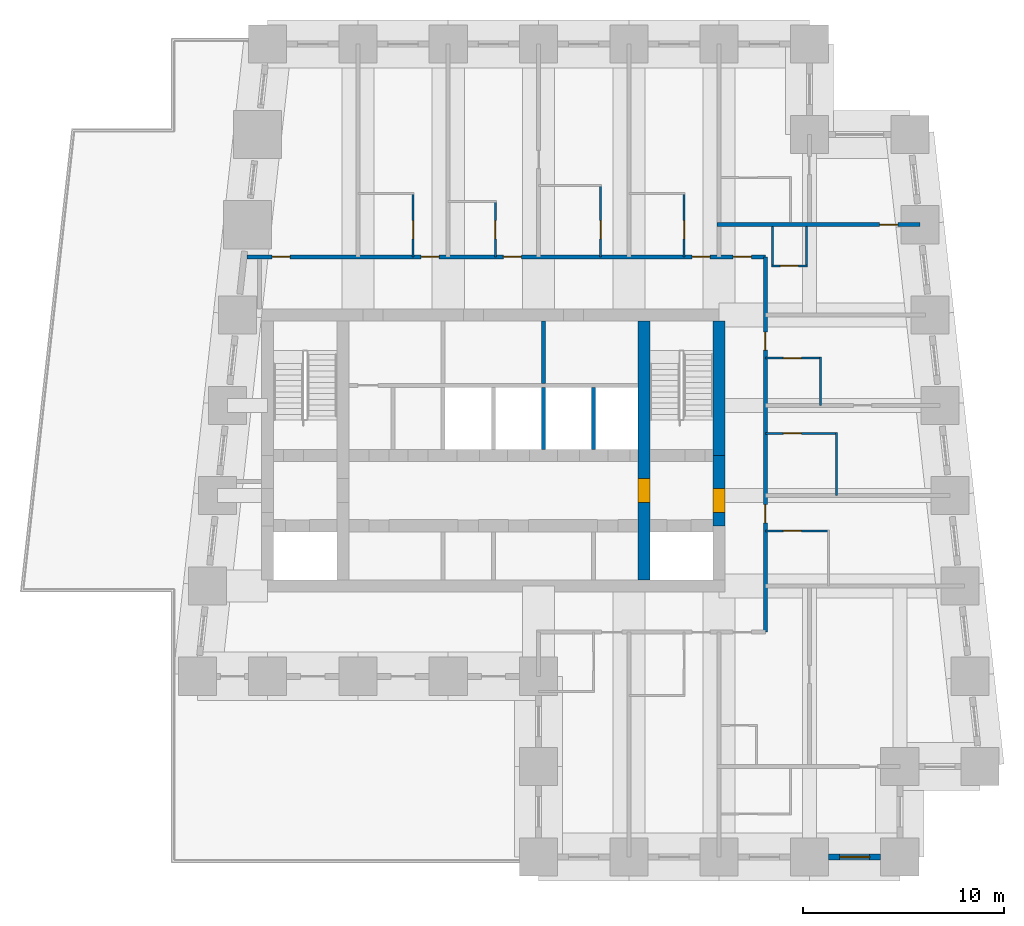
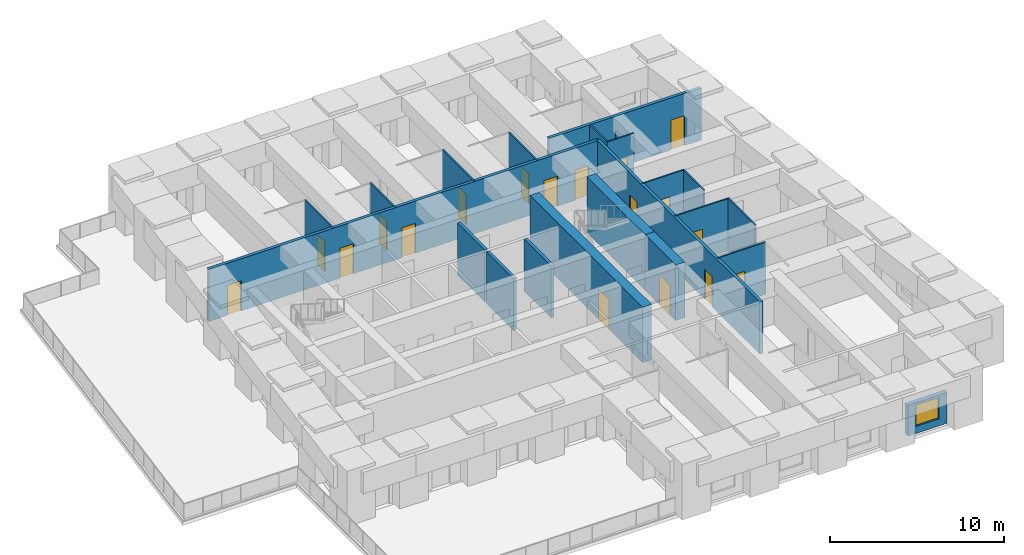
# One storey, part 4 of 7: 22 walls, 18 doors, 1 window, 19 openings.
"""IFC4 building model written with IfcOpenShell, lengths in metres."""

from ifc_helpers import new_model, si_unit, direction, frame, frame_2d, origin, place, context, subcontext, project, spatial, rectangle, extrude, material, layer, layer_set, type_object, element, fill, save


model = new_model("IFC4")

# Units and contexts
model_context = context("Model", 3, precision=1e-05, world=origin(), true_north=direction((0.0, 1.0)))
body_context = subcontext(model_context, "Body", "Model", "MODEL_VIEW")
ifc_project = project(units=[si_unit("LENGTHUNIT", "METRE"), si_unit("AREAUNIT", "SQUARE_METRE"), si_unit("VOLUMEUNIT", "CUBIC_METRE"), si_unit("PLANEANGLEUNIT", "RADIAN"), si_unit("MASSUNIT", "GRAM", prefix="KILO")], contexts=[model_context])

# Site, building, storey
site_placement = place(None, origin())
site = spatial("IfcSite", under=ifc_project, at=site_placement, CompositionType="ELEMENT")
building_placement = place(site_placement, origin())
building = spatial("IfcBuilding", under=site, at=building_placement, Name="Kilele Tower Hotel", CompositionType="ELEMENT")
storey_placement = place(building_placement, frame((0.0, 0.0, 217.39990234375)))
storey = spatial("IfcBuildingStorey", under=building, at=storey_placement, Name="L56", CompositionType="ELEMENT", Elevation=217.39990234375)

# Wall, opening, door
ifc_material_1 = material(Name="Moisture-resistant board")
ifc_layer_1 = layer(ifc_material_1, 0.10009765625)
ifc_layer_set_1 = layer_set([ifc_layer_1], Name="Moisture-resistant board")
wall_type_1 = type_object("IfcWallType", Name="Bathroom partition 100", PredefinedType="PLUMBINGWALL", material=ifc_layer_set_1)
wall_1_placement = place(storey_placement, frame((38.300048828125, 16.25, 0.0), z_axis=(0.0, 0.0, 1.0), x_axis=(1.0, 0.0, 0.0)))
wall_1 = element("IfcWall", 1, at=wall_1_placement, inside=storey, type_object=wall_type_1, Name="Bathroom partition 100 L56", PredefinedType="PLUMBINGWALL", context=body_context, shape_type="SweptSolid", body=[
    extrude(rectangle(XDim=3.199951171875, YDim=0.10009765625, at=frame_2d((1.60009765625, 0.0))), origin(), (0.0, 0.0, 1.0), 3.650146484375),
])
opening_1_placement = place(wall_1_placement, frame((0.89990234375, 0.0, 0.0)))
opening_1 = element("IfcOpeningElement", 2, at=opening_1_placement, cuts=wall_1, Name="Opening D2A", PredefinedType="OPENING", context=body_context, shape_type="SweptSolid", body=[
    extrude(rectangle(XDim=0.89990234375, YDim=2.10009765625, at=frame_2d((0.449951171875, 1.050048828125))), frame((0.0, 0.06005859375, 0.0), z_axis=(0.0, -1.0, 0.0), x_axis=(1.0, 0.0, 0.0)), (0.0, 0.0, 1.0), 0.1201171875),
])
ifc_material_2 = material(Name="Timber door leaf in hardwood frame", Category="wood")
door_type_1 = type_object("IfcDoorType", Name="Bathroom door 900", OperationType="SINGLE_SWING_LEFT", PredefinedType="DOOR", material=ifc_material_2)
door_1_placement = place(opening_1_placement, origin())
door_1 = element("IfcDoor", 3, at=door_1_placement, inside=storey, type_object=door_type_1, Name="Bathroom door 5604B", OperationType="SINGLE_SWING_LEFT", OverallHeight=2.10009765625, OverallWidth=0.89990234375, PredefinedType="DOOR", context=body_context, shape_type="SweptSolid", body=[
    extrude(rectangle(XDim=0.89990234375, YDim=2.10009765625, at=frame_2d((0.449951171875, 1.050048828125))), frame((0.0, 0.02490234375, 0.0), z_axis=(0.0, -1.0, 0.0), x_axis=(1.0, 0.0, 0.0)), (0.0, 0.0, 1.0), 0.050048828125),
])
fill(opening_1, door_1)

# Wall
wall_2_placement = place(storey_placement, frame((41.85009765625, 18.0, 0.0), z_axis=(0.0, 0.0, 1.0), x_axis=(0.0, 1.0, 0.0)))
element("IfcWall", 4, at=wall_2_placement, inside=storey, type_object=wall_type_1, Name="Bathroom partition 100 L56", PredefinedType="PLUMBINGWALL", context=body_context, shape_type="SweptSolid", body=[
    extrude(rectangle(XDim=3.14990234375, YDim=0.10009765625, at=frame_2d((1.574951171875, 0.0))), origin(), (0.0, 0.0, 1.0), 3.650146484375),
])

# Wall, opening, door
wall_3_placement = place(storey_placement, frame((38.300048828125, 21.10009765625, 0.0), z_axis=(0.0, 0.0, 1.0), x_axis=(1.0, 0.0, 0.0)))
wall_3 = element("IfcWall", 5, at=wall_3_placement, inside=storey, type_object=wall_type_1, Name="Bathroom partition 100 L56", PredefinedType="PLUMBINGWALL", context=body_context, shape_type="SweptSolid", body=[
    extrude(rectangle(XDim=3.599853515625, YDim=0.10009765625, at=frame_2d((1.7998046875, 0.0))), origin(), (0.0, 0.0, 1.0), 3.650146484375),
])
opening_2_placement = place(wall_3_placement, frame((0.89990234375, 0.0, 0.0)))
opening_2 = element("IfcOpeningElement", 6, at=opening_2_placement, cuts=wall_3, Name="Opening D2A", PredefinedType="OPENING", context=body_context, shape_type="SweptSolid", body=[
    extrude(rectangle(XDim=0.89990234375, YDim=2.10009765625, at=frame_2d((0.449951171875, 1.050048828125))), frame((0.0, 0.06005859375, 0.0), z_axis=(0.0, -1.0, 0.0), x_axis=(1.0, 0.0, 0.0)), (0.0, 0.0, 1.0), 0.1201171875),
])
door_2_placement = place(opening_2_placement, origin())
door_2 = element("IfcDoor", 7, at=door_2_placement, inside=storey, type_object=door_type_1, Name="Bathroom door 5605B", OperationType="SINGLE_SWING_LEFT", OverallHeight=2.10009765625, OverallWidth=0.89990234375, PredefinedType="DOOR", context=body_context, shape_type="SweptSolid", body=[
    extrude(rectangle(XDim=0.89990234375, YDim=2.10009765625, at=frame_2d((0.449951171875, 1.050048828125))), frame((0.0, 0.02490234375, 0.0), z_axis=(0.0, -1.0, 0.0), x_axis=(1.0, 0.0, 0.0)), (0.0, 0.0, 1.0), 0.050048828125),
])
fill(opening_2, door_2)

# Wall
wall_4_placement = place(storey_placement, frame((41.050048828125, 22.5, 0.0), z_axis=(0.0, 0.0, 1.0), x_axis=(0.0, 1.0, 0.0)))
element("IfcWall", 8, at=wall_4_placement, inside=storey, type_object=wall_type_1, Name="Bathroom partition 100 L56", PredefinedType="PLUMBINGWALL", context=body_context, shape_type="SweptSolid", body=[
    extrude(rectangle(XDim=2.39990234375, YDim=0.10009765625, at=frame_2d((1.199951171875, 0.0))), origin(), (0.0, 0.0, 1.0), 3.650146484375),
])

# Wall, opening, door
wall_5_placement = place(storey_placement, frame((38.300048828125, 24.85009765625, 0.0), z_axis=(0.0, 0.0, 1.0), x_axis=(1.0, 0.0, 0.0)))
wall_5 = element("IfcWall", 9, at=wall_5_placement, inside=storey, type_object=wall_type_1, Name="Bathroom partition 100 L56", PredefinedType="PLUMBINGWALL", context=body_context, shape_type="SweptSolid", body=[
    extrude(rectangle(XDim=2.800048828125, YDim=0.10009765625, at=frame_2d((1.39990234375, 0.0))), origin(), (0.0, 0.0, 1.0), 3.650146484375),
])
opening_3_placement = place(wall_5_placement, frame((0.89990234375, 0.0, 0.0)))
opening_3 = element("IfcOpeningElement", 10, at=opening_3_placement, cuts=wall_5, Name="Opening D2A", PredefinedType="OPENING", context=body_context, shape_type="SweptSolid", body=[
    extrude(rectangle(XDim=0.89990234375, YDim=2.10009765625, at=frame_2d((0.449951171875, 1.050048828125))), frame((0.0, 0.06005859375, 0.0), z_axis=(0.0, -1.0, 0.0), x_axis=(1.0, 0.0, 0.0)), (0.0, 0.0, 1.0), 0.1201171875),
])
door_3_placement = place(opening_3_placement, origin())
door_3 = element("IfcDoor", 11, at=door_3_placement, inside=storey, type_object=door_type_1, Name="Bathroom door 5606B", OperationType="SINGLE_SWING_LEFT", OverallHeight=2.10009765625, OverallWidth=0.89990234375, PredefinedType="DOOR", context=body_context, shape_type="SweptSolid", body=[
    extrude(rectangle(XDim=0.89990234375, YDim=2.10009765625, at=frame_2d((0.449951171875, 1.050048828125))), frame((0.0, 0.02490234375, 0.0), z_axis=(0.0, -1.0, 0.0), x_axis=(1.0, 0.0, 0.0)), (0.0, 0.0, 1.0), 0.050048828125),
])
fill(opening_3, door_3)

wall_6_placement = place(storey_placement, frame((20.75, 29.89990234375, 0.0), z_axis=(0.0, 0.0, 1.0), x_axis=(0.0, 1.0, 0.0)))
wall_6 = element("IfcWall", 12, at=wall_6_placement, inside=storey, type_object=wall_type_1, Name="Bathroom partition 100 L56", PredefinedType="PLUMBINGWALL", context=body_context, shape_type="SweptSolid", body=[
    extrude(rectangle(XDim=3.2001953125, YDim=0.10009765625, at=frame_2d((1.60009765625, 0.0))), origin(), (0.0, 0.0, 1.0), 3.650146484375),
])
opening_4_placement = place(wall_6_placement, frame((1.7998046875, 0.0, 0.0), z_axis=(0.0, 0.0, 1.0), x_axis=(-1.0, 0.0, 0.0)))
opening_4 = element("IfcOpeningElement", 13, at=opening_4_placement, cuts=wall_6, Name="Opening D2A", PredefinedType="OPENING", context=body_context, shape_type="SweptSolid", body=[
    extrude(rectangle(XDim=0.89990234375, YDim=2.10009765625, at=frame_2d((0.449951171875, 1.050048828125))), frame((0.0, 0.06005859375, 0.0), z_axis=(0.0, -1.0, 0.0), x_axis=(1.0, 0.0, 0.0)), (0.0, 0.0, 1.0), 0.1201171875),
])
door_4_placement = place(opening_4_placement, origin())
door_4 = element("IfcDoor", 14, at=door_4_placement, inside=storey, type_object=door_type_1, Name="Bathroom door 5608B", OperationType="SINGLE_SWING_RIGHT", OverallHeight=2.10009765625, OverallWidth=0.89990234375, PredefinedType="DOOR", context=body_context, shape_type="SweptSolid", body=[
    extrude(rectangle(XDim=0.89990234375, YDim=2.10009765625, at=frame_2d((0.449951171875, 1.050048828125))), frame((0.0, 0.02490234375, 0.0), z_axis=(0.0, -1.0, 0.0), x_axis=(1.0, 0.0, 0.0)), (0.0, 0.0, 1.0), 0.050048828125),
])
fill(opening_4, door_4)

wall_7_placement = place(storey_placement, frame((24.85009765625, 29.89990234375, 0.0), z_axis=(0.0, 0.0, 1.0), x_axis=(0.0, 1.0, 0.0)))
wall_7 = element("IfcWall", 15, at=wall_7_placement, inside=storey, type_object=wall_type_1, Name="Bathroom partition 100 L56", PredefinedType="PLUMBINGWALL", context=body_context, shape_type="SweptSolid", body=[
    extrude(rectangle(XDim=2.800048828125, YDim=0.10009765625, at=frame_2d((1.39990234375, 0.0))), origin(), (0.0, 0.0, 1.0), 3.650146484375),
])
opening_5_placement = place(wall_7_placement, frame((1.7998046875, 0.0, 0.0), z_axis=(0.0, 0.0, 1.0), x_axis=(-1.0, 0.0, 0.0)))
opening_5 = element("IfcOpeningElement", 16, at=opening_5_placement, cuts=wall_7, Name="Opening D2A", PredefinedType="OPENING", context=body_context, shape_type="SweptSolid", body=[
    extrude(rectangle(XDim=0.89990234375, YDim=2.10009765625, at=frame_2d((0.449951171875, 1.050048828125))), frame((0.0, 0.06005859375, 0.0), z_axis=(0.0, -1.0, 0.0), x_axis=(1.0, 0.0, 0.0)), (0.0, 0.0, 1.0), 0.1201171875),
])
door_5_placement = place(opening_5_placement, origin())
door_5 = element("IfcDoor", 17, at=door_5_placement, inside=storey, type_object=door_type_1, Name="Bathroom door 5609B", OperationType="SINGLE_SWING_RIGHT", OverallHeight=2.10009765625, OverallWidth=0.89990234375, PredefinedType="DOOR", context=body_context, shape_type="SweptSolid", body=[
    extrude(rectangle(XDim=0.89990234375, YDim=2.10009765625, at=frame_2d((0.449951171875, 1.050048828125))), frame((0.0, 0.02490234375, 0.0), z_axis=(0.0, -1.0, 0.0), x_axis=(1.0, 0.0, 0.0)), (0.0, 0.0, 1.0), 0.050048828125),
])
fill(opening_5, door_5)

wall_8_placement = place(storey_placement, frame((30.10009765625, 29.89990234375, 0.0), z_axis=(0.0, 0.0, 1.0), x_axis=(0.0, 1.0, 0.0)))
wall_8 = element("IfcWall", 18, at=wall_8_placement, inside=storey, type_object=wall_type_1, Name="Bathroom partition 100 L56", PredefinedType="PLUMBINGWALL", context=body_context, shape_type="SweptSolid", body=[
    extrude(rectangle(XDim=3.60009765625, YDim=0.10009765625, at=frame_2d((1.800048828125, 0.0))), origin(), (0.0, 0.0, 1.0), 3.650146484375),
])
opening_6_placement = place(wall_8_placement, frame((1.7998046875, 0.0, 0.0), z_axis=(0.0, 0.0, 1.0), x_axis=(-1.0, 0.0, 0.0)))
opening_6 = element("IfcOpeningElement", 19, at=opening_6_placement, cuts=wall_8, Name="Opening D2A", PredefinedType="OPENING", context=body_context, shape_type="SweptSolid", body=[
    extrude(rectangle(XDim=0.89990234375, YDim=2.10009765625, at=frame_2d((0.449951171875, 1.050048828125))), frame((0.0, 0.06005859375, 0.0), z_axis=(0.0, -1.0, 0.0), x_axis=(1.0, 0.0, 0.0)), (0.0, 0.0, 1.0), 0.1201171875),
])
door_6_placement = place(opening_6_placement, origin())
door_6 = element("IfcDoor", 20, at=door_6_placement, inside=storey, type_object=door_type_1, Name="Bathroom door 5610B", OperationType="SINGLE_SWING_RIGHT", OverallHeight=2.10009765625, OverallWidth=0.89990234375, PredefinedType="DOOR", context=body_context, shape_type="SweptSolid", body=[
    extrude(rectangle(XDim=0.89990234375, YDim=2.10009765625, at=frame_2d((0.449951171875, 1.050048828125))), frame((0.0, 0.02490234375, 0.0), z_axis=(0.0, -1.0, 0.0), x_axis=(1.0, 0.0, 0.0)), (0.0, 0.0, 1.0), 0.050048828125),
])
fill(opening_6, door_6)

wall_9_placement = place(storey_placement, frame((34.25, 29.89990234375, 0.0), z_axis=(0.0, 0.0, 1.0), x_axis=(0.0, 1.0, 0.0)))
wall_9 = element("IfcWall", 21, at=wall_9_placement, inside=storey, type_object=wall_type_1, Name="Bathroom partition 100 L56", PredefinedType="PLUMBINGWALL", context=body_context, shape_type="SweptSolid", body=[
    extrude(rectangle(XDim=3.2001953125, YDim=0.10009765625, at=frame_2d((1.60009765625, 0.0))), origin(), (0.0, 0.0, 1.0), 3.650146484375),
])
opening_7_placement = place(wall_9_placement, frame((1.7998046875, 0.0, 0.0), z_axis=(0.0, 0.0, 1.0), x_axis=(-1.0, 0.0, 0.0)))
opening_7 = element("IfcOpeningElement", 22, at=opening_7_placement, cuts=wall_9, Name="Opening D2A", PredefinedType="OPENING", context=body_context, shape_type="SweptSolid", body=[
    extrude(rectangle(XDim=0.89990234375, YDim=2.10009765625, at=frame_2d((0.449951171875, 1.050048828125))), frame((0.0, 0.06005859375, 0.0), z_axis=(0.0, -1.0, 0.0), x_axis=(1.0, 0.0, 0.0)), (0.0, 0.0, 1.0), 0.1201171875),
])
door_7_placement = place(opening_7_placement, origin())
door_7 = element("IfcDoor", 23, at=door_7_placement, inside=storey, type_object=door_type_1, Name="Bathroom door 5611B", OperationType="SINGLE_SWING_RIGHT", OverallHeight=2.10009765625, OverallWidth=0.89990234375, PredefinedType="DOOR", context=body_context, shape_type="SweptSolid", body=[
    extrude(rectangle(XDim=0.89990234375, YDim=2.10009765625, at=frame_2d((0.449951171875, 1.050048828125))), frame((0.0, 0.02490234375, 0.0), z_axis=(0.0, -1.0, 0.0), x_axis=(1.0, 0.0, 0.0)), (0.0, 0.0, 1.0), 0.050048828125),
])
fill(opening_7, door_7)

# Walls
wall_10_placement = place(storey_placement, frame((40.35009765625, 31.39990234375, 0.0), z_axis=(0.0, 0.0, 1.0), x_axis=(0.0, -1.0, 0.0)))
element("IfcWall", 24, at=wall_10_placement, inside=storey, type_object=wall_type_1, Name="Bathroom partition 100 L56", PredefinedType="PLUMBINGWALL", context=body_context, shape_type="SweptSolid", body=[
    extrude(rectangle(XDim=2.0, YDim=0.10009765625, at=frame_2d((1.0, 0.0))), origin(), (0.0, 0.0, 1.0), 2.650146484375),
])
wall_11_placement = place(storey_placement, frame((38.64990234375, 31.39990234375, 0.0), z_axis=(0.0, 0.0, 1.0), x_axis=(0.0, -1.0, 0.0)))
element("IfcWall", 25, at=wall_11_placement, inside=storey, type_object=wall_type_1, Name="Bathroom partition 100 L56", PredefinedType="PLUMBINGWALL", context=body_context, shape_type="SweptSolid", body=[
    extrude(rectangle(XDim=2.0, YDim=0.10009765625, at=frame_2d((1.0, 0.0))), origin(), (0.0, 0.0, 1.0), 3.650146484375),
])

# Wall, opening, door
wall_12_placement = place(storey_placement, frame((38.60009765625, 29.449951171875, 0.0), z_axis=(0.0, 0.0, 1.0), x_axis=(1.0, 0.0, 0.0)))
wall_12 = element("IfcWall", 26, at=wall_12_placement, inside=storey, type_object=wall_type_1, Name="Bathroom partition 100 L56", PredefinedType="PLUMBINGWALL", context=body_context, shape_type="SweptSolid", body=[
    extrude(rectangle(XDim=1.7998046875, YDim=0.10009765625, at=frame_2d((0.89990234375, 0.0))), origin(), (0.0, 0.0, 1.0), 3.650146484375),
])
opening_8_placement = place(wall_12_placement, frame((1.349853515625, 0.0, 0.0), z_axis=(0.0, 0.0, 1.0), x_axis=(-1.0, 0.0, 0.0)))
opening_8 = element("IfcOpeningElement", 27, at=opening_8_placement, cuts=wall_12, Name="Opening D2A", PredefinedType="OPENING", context=body_context, shape_type="SweptSolid", body=[
    extrude(rectangle(XDim=0.89990234375, YDim=2.10009765625, at=frame_2d((0.449951171875, 1.050048828125))), frame((0.0, 0.06005859375, 0.0), z_axis=(0.0, -1.0, 0.0), x_axis=(1.0, 0.0, 0.0)), (0.0, 0.0, 1.0), 0.1201171875),
])
door_8_placement = place(opening_8_placement, origin())
door_8 = element("IfcDoor", 28, at=door_8_placement, inside=storey, type_object=door_type_1, Name="Bathroom door 5615P", OperationType="SINGLE_SWING_RIGHT", OverallHeight=2.10009765625, OverallWidth=0.89990234375, PredefinedType="DOOR", context=body_context, shape_type="SweptSolid", body=[
    extrude(rectangle(XDim=0.89990234375, YDim=2.10009765625, at=frame_2d((0.449951171875, 1.050048828125))), frame((0.0, 0.02490234375, 0.0), z_axis=(0.0, -1.0, 0.0), x_axis=(1.0, 0.0, 0.0)), (0.0, 0.0, 1.0), 0.050048828125),
])
fill(opening_8, door_8)

ifc_material_3 = material(Name="Concrete C60/75", Category="concrete")
ifc_layer_2 = layer(ifc_material_3, 0.60009765625)
ifc_layer_set_2 = layer_set([ifc_layer_2], Name="Concrete C60/75")
wall_type_2 = type_object("IfcWallType", Name="Core wall 600 C60/75", PredefinedType="SHEAR", material=ifc_layer_set_2)
wall_13_placement = place(storey_placement, frame((32.25, 13.800048828125, 0.0), z_axis=(0.0, 0.0, 1.0), x_axis=(0.0, 1.0, 0.0)))
wall_13 = element("IfcWall", 29, at=wall_13_placement, inside=storey, type_object=wall_type_2, Name="Core wall IE L56", PredefinedType="SHEAR", context=body_context, shape_type="SweptSolid", body=[
    extrude(rectangle(XDim=12.89990234375, YDim=0.60009765625, at=frame_2d((6.449951171875, 0.0))), origin(), (0.0, 0.0, 1.0), 3.900146484375),
])
opening_9_placement = place(wall_13_placement, frame((5.050048828125, 0.0, 0.0), z_axis=(0.0, 0.0, 1.0), x_axis=(-1.0, 0.0, 0.0)))
opening_9 = element("IfcOpeningElement", 30, at=opening_9_placement, cuts=wall_13, Name="Opening D4", PredefinedType="OPENING", context=body_context, shape_type="SweptSolid", body=[
    extrude(rectangle(XDim=1.199951171875, YDim=2.10009765625, at=frame_2d((0.60009765625, 1.050048828125))), frame((0.0, 0.31005859375, 0.0), z_axis=(0.0, -1.0, 0.0), x_axis=(1.0, 0.0, 0.0)), (0.0, 0.0, 1.0), 0.6201171875),
])
ifc_material_4 = material(Name="Timber door leaf in hardwood frame", Category="wood")
door_type_2 = type_object("IfcDoorType", Name="Firefighting lobby door 1200", OperationType="SINGLE_SWING_LEFT", PredefinedType="DOOR", material=ifc_material_4)
door_9_placement = place(opening_9_placement, origin())
door_9 = element("IfcDoor", 31, at=door_9_placement, inside=storey, type_object=door_type_2, Name="Lobby door L56", OperationType="SINGLE_SWING_RIGHT", OverallHeight=2.10009765625, OverallWidth=1.199951171875, PredefinedType="DOOR", context=body_context, shape_type="SweptSolid", body=[
    extrude(rectangle(XDim=1.199951171875, YDim=2.10009765625, at=frame_2d((0.60009765625, 1.050048828125))), frame((0.0, 0.2998046875, 0.0), z_axis=(0.0, -1.0, 0.0), x_axis=(1.0, 0.0, 0.0)), (0.0, 0.0, 1.0), 0.599609375),
])
fill(opening_9, door_9)

wall_14_placement = place(storey_placement, frame((36.0, 16.5, 0.0), z_axis=(0.0, 0.0, 1.0), x_axis=(0.0, 1.0, 0.0)))
wall_14 = element("IfcWall", 32, at=wall_14_placement, inside=storey, type_object=wall_type_2, Name="Core wall E2 L56", PredefinedType="SHEAR", context=body_context, shape_type="SweptSolid", body=[
    extrude(rectangle(XDim=3.5, YDim=0.60009765625, at=frame_2d((1.75, 0.0))), origin(), (0.0, 0.0, 1.0), 3.900146484375),
])
opening_10_placement = place(wall_14_placement, frame((0.64990234375, 0.0, 0.0)))
opening_10 = element("IfcOpeningElement", 33, at=opening_10_placement, cuts=wall_14, Name="Opening D4", PredefinedType="OPENING", context=body_context, shape_type="SweptSolid", body=[
    extrude(rectangle(XDim=1.199951171875, YDim=2.10009765625, at=frame_2d((0.60009765625, 1.050048828125))), frame((0.0, 0.31005859375, 0.0), z_axis=(0.0, -1.0, 0.0), x_axis=(1.0, 0.0, 0.0)), (0.0, 0.0, 1.0), 0.6201171875),
])
door_10_placement = place(opening_10_placement, origin())
door_10 = element("IfcDoor", 34, at=door_10_placement, inside=storey, type_object=door_type_2, Name="Lobby door L56", OperationType="SINGLE_SWING_LEFT", OverallHeight=2.10009765625, OverallWidth=1.199951171875, PredefinedType="DOOR", context=body_context, shape_type="SweptSolid", body=[
    extrude(rectangle(XDim=1.199951171875, YDim=2.10009765625, at=frame_2d((0.60009765625, 1.050048828125))), frame((0.0, 0.2998046875, 0.0), z_axis=(0.0, -1.0, 0.0), x_axis=(1.0, 0.0, 0.0)), (0.0, 0.0, 1.0), 0.599609375),
])
fill(opening_10, door_10)

# Wall
wall_15_placement = place(storey_placement, frame((36.0, 20.0, 0.0), z_axis=(0.0, 0.0, 1.0), x_axis=(0.0, 1.0, 0.0)))
element("IfcWall", 35, at=wall_15_placement, inside=storey, type_object=wall_type_2, Name="Core wall E3 L56", PredefinedType="SHEAR", context=body_context, shape_type="SweptSolid", body=[
    extrude(rectangle(XDim=6.699951171875, YDim=0.60009765625, at=frame_2d((3.35009765625, 0.0))), origin(), (0.0, 0.0, 1.0), 3.900146484375),
])

# Wall, openings, doors
ifc_material_5 = material(Name="Blockwork, plastered both sides", Category="masonry")
ifc_layer_3 = layer(ifc_material_5, 0.199951171875)
ifc_layer_set_3 = layer_set([ifc_layer_3], Name="Blockwork, plastered both sides")
wall_type_3 = type_object("IfcWallType", Name="Corridor wall 200", PredefinedType="PARTITIONING", material=ifc_layer_set_3)
wall_16_placement = place(storey_placement, frame((12.47314453125, 29.89990234375, 0.0), z_axis=(0.0, 0.0, 1.0), x_axis=(1.0, 0.0, 0.0)))
wall_16 = element("IfcWall", 36, at=wall_16_placement, inside=storey, type_object=wall_type_3, Name="Corridor wall 200 L56", PredefinedType="PARTITIONING", context=body_context, shape_type="SweptSolid", body=[
    extrude(rectangle(XDim=25.826904296875, YDim=0.199951171875, at=frame_2d((12.91357421875, 0.0))), origin(), (0.0, 0.0, 1.0), 3.650146484375),
])
opening_11_placement = place(wall_16_placement, frame((1.25, 0.0, 0.0)))
opening_11 = element("IfcOpeningElement", 37, at=opening_11_placement, cuts=wall_16, Name="Opening D1", PredefinedType="OPENING", context=body_context, shape_type="SweptSolid", body=[
    extrude(rectangle(XDim=0.89990234375, YDim=2.10009765625, at=frame_2d((0.449951171875, 1.050048828125))), frame((0.0, 0.10986328125, 0.0), z_axis=(0.0, -1.0, 0.0), x_axis=(1.0, 0.0, 0.0)), (0.0, 0.0, 1.0), 0.219970703125),
])
opening_12_placement = place(wall_16_placement, frame((8.677001953125, 0.0, 0.0)))
opening_12 = element("IfcOpeningElement", 38, at=opening_12_placement, cuts=wall_16, Name="Opening D1", PredefinedType="OPENING", context=body_context, shape_type="SweptSolid", body=[
    extrude(rectangle(XDim=0.89990234375, YDim=2.10009765625, at=frame_2d((0.449951171875, 1.050048828125))), frame((0.0, 0.10986328125, 0.0), z_axis=(0.0, -1.0, 0.0), x_axis=(1.0, 0.0, 0.0)), (0.0, 0.0, 1.0), 0.219970703125),
])
opening_13_placement = place(wall_16_placement, frame((12.77685546875, 0.0, 0.0)))
opening_13 = element("IfcOpeningElement", 39, at=opening_13_placement, cuts=wall_16, Name="Opening D1", PredefinedType="OPENING", context=body_context, shape_type="SweptSolid", body=[
    extrude(rectangle(XDim=0.89990234375, YDim=2.10009765625, at=frame_2d((0.449951171875, 1.050048828125))), frame((0.0, 0.10986328125, 0.0), z_axis=(0.0, -1.0, 0.0), x_axis=(1.0, 0.0, 0.0)), (0.0, 0.0, 1.0), 0.219970703125),
])
opening_14_placement = place(wall_16_placement, frame((22.177001953125, 0.0, 0.0)))
opening_14 = element("IfcOpeningElement", 40, at=opening_14_placement, cuts=wall_16, Name="Opening D1", PredefinedType="OPENING", context=body_context, shape_type="SweptSolid", body=[
    extrude(rectangle(XDim=0.89990234375, YDim=2.10009765625, at=frame_2d((0.449951171875, 1.050048828125))), frame((0.0, 0.10986328125, 0.0), z_axis=(0.0, -1.0, 0.0), x_axis=(1.0, 0.0, 0.0)), (0.0, 0.0, 1.0), 0.219970703125),
])
opening_15_placement = place(wall_16_placement, frame((24.226806640625, 0.0, 0.0)))
opening_15 = element("IfcOpeningElement", 41, at=opening_15_placement, cuts=wall_16, Name="Opening D1", PredefinedType="OPENING", context=body_context, shape_type="SweptSolid", body=[
    extrude(rectangle(XDim=0.89990234375, YDim=2.10009765625, at=frame_2d((0.449951171875, 1.050048828125))), frame((0.0, 0.10986328125, 0.0), z_axis=(0.0, -1.0, 0.0), x_axis=(1.0, 0.0, 0.0)), (0.0, 0.0, 1.0), 0.219970703125),
])
ifc_material_6 = material(Name="Timber door leaf in hardwood frame", Category="wood")
door_type_3 = type_object("IfcDoorType", Name="Guest room entrance door 900", OperationType="SINGLE_SWING_LEFT", PredefinedType="DOOR", material=ifc_material_6)
door_11_placement = place(opening_11_placement, origin())
door_11 = element("IfcDoor", 42, at=door_11_placement, inside=storey, type_object=door_type_3, Name="Room entrance 5607", OperationType="SINGLE_SWING_LEFT", OverallHeight=2.10009765625, OverallWidth=0.89990234375, PredefinedType="DOOR", context=body_context, shape_type="SweptSolid", body=[
    extrude(rectangle(XDim=0.89990234375, YDim=2.10009765625, at=frame_2d((0.449951171875, 1.050048828125))), frame((0.0, 0.02490234375, 0.0), z_axis=(0.0, -1.0, 0.0), x_axis=(1.0, 0.0, 0.0)), (0.0, 0.0, 1.0), 0.050048828125),
])
fill(opening_11, door_11)
door_12_placement = place(opening_12_placement, origin())
door_12 = element("IfcDoor", 43, at=door_12_placement, inside=storey, type_object=door_type_3, Name="Room entrance 5608", OperationType="SINGLE_SWING_LEFT", OverallHeight=2.10009765625, OverallWidth=0.89990234375, PredefinedType="DOOR", context=body_context, shape_type="SweptSolid", body=[
    extrude(rectangle(XDim=0.89990234375, YDim=2.10009765625, at=frame_2d((0.449951171875, 1.050048828125))), frame((0.0, 0.02490234375, 0.0), z_axis=(0.0, -1.0, 0.0), x_axis=(1.0, 0.0, 0.0)), (0.0, 0.0, 1.0), 0.050048828125),
])
fill(opening_12, door_12)
door_13_placement = place(opening_13_placement, origin())
door_13 = element("IfcDoor", 44, at=door_13_placement, inside=storey, type_object=door_type_3, Name="Room entrance 5609", OperationType="SINGLE_SWING_LEFT", OverallHeight=2.10009765625, OverallWidth=0.89990234375, PredefinedType="DOOR", context=body_context, shape_type="SweptSolid", body=[
    extrude(rectangle(XDim=0.89990234375, YDim=2.10009765625, at=frame_2d((0.449951171875, 1.050048828125))), frame((0.0, 0.02490234375, 0.0), z_axis=(0.0, -1.0, 0.0), x_axis=(1.0, 0.0, 0.0)), (0.0, 0.0, 1.0), 0.050048828125),
])
fill(opening_13, door_13)
door_14_placement = place(opening_14_placement, origin())
door_14 = element("IfcDoor", 45, at=door_14_placement, inside=storey, type_object=door_type_3, Name="Room entrance 5611", OperationType="SINGLE_SWING_RIGHT", OverallHeight=2.10009765625, OverallWidth=0.89990234375, PredefinedType="DOOR", context=body_context, shape_type="SweptSolid", body=[
    extrude(rectangle(XDim=0.89990234375, YDim=2.10009765625, at=frame_2d((0.449951171875, 1.050048828125))), frame((0.0, 0.02490234375, 0.0), z_axis=(0.0, -1.0, 0.0), x_axis=(1.0, 0.0, 0.0)), (0.0, 0.0, 1.0), 0.050048828125),
])
fill(opening_14, door_14)
door_15_placement = place(opening_15_placement, origin())
door_15 = element("IfcDoor", 46, at=door_15_placement, inside=storey, type_object=door_type_3, Name="Room entrance 5615", OperationType="SINGLE_SWING_LEFT", OverallHeight=2.10009765625, OverallWidth=0.89990234375, PredefinedType="DOOR", context=body_context, shape_type="SweptSolid", body=[
    extrude(rectangle(XDim=0.89990234375, YDim=2.10009765625, at=frame_2d((0.449951171875, 1.050048828125))), frame((0.0, 0.02490234375, 0.0), z_axis=(0.0, -1.0, 0.0), x_axis=(1.0, 0.0, 0.0)), (0.0, 0.0, 1.0), 0.050048828125),
])
fill(opening_15, door_15)

wall_17_placement = place(storey_placement, frame((38.300048828125, 11.199951171875, 0.0), z_axis=(0.0, 0.0, 1.0), x_axis=(0.0, 1.0, 0.0)))
wall_17 = element("IfcWall", 47, at=wall_17_placement, inside=storey, type_object=wall_type_3, Name="Corridor wall 200 L56", PredefinedType="PARTITIONING", context=body_context, shape_type="SweptSolid", body=[
    extrude(rectangle(XDim=18.699951171875, YDim=0.199951171875, at=frame_2d((9.35009765625, 0.0))), origin(), (0.0, 0.0, 1.0), 3.650146484375),
])
opening_16_placement = place(wall_17_placement, frame((6.349853515625, 0.0, 0.0), z_axis=(0.0, 0.0, 1.0), x_axis=(-1.0, 0.0, 0.0)))
opening_16 = element("IfcOpeningElement", 48, at=opening_16_placement, cuts=wall_17, Name="Opening D1", PredefinedType="OPENING", context=body_context, shape_type="SweptSolid", body=[
    extrude(rectangle(XDim=0.89990234375, YDim=2.10009765625, at=frame_2d((0.449951171875, 1.050048828125))), frame((0.0, 0.10986328125, 0.0), z_axis=(0.0, -1.0, 0.0), x_axis=(1.0, 0.0, 0.0)), (0.0, 0.0, 1.0), 0.219970703125),
])
opening_17_placement = place(wall_17_placement, frame((14.949951171875, 0.0, 0.0), z_axis=(0.0, 0.0, 1.0), x_axis=(-1.0, 0.0, 0.0)))
opening_17 = element("IfcOpeningElement", 49, at=opening_17_placement, cuts=wall_17, Name="Opening D1", PredefinedType="OPENING", context=body_context, shape_type="SweptSolid", body=[
    extrude(rectangle(XDim=0.89990234375, YDim=2.10009765625, at=frame_2d((0.449951171875, 1.050048828125))), frame((0.0, 0.10986328125, 0.0), z_axis=(0.0, -1.0, 0.0), x_axis=(1.0, 0.0, 0.0)), (0.0, 0.0, 1.0), 0.219970703125),
])
door_16_placement = place(opening_16_placement, origin())
door_16 = element("IfcDoor", 50, at=door_16_placement, inside=storey, type_object=door_type_3, Name="Room entrance 5604", OperationType="SINGLE_SWING_RIGHT", OverallHeight=2.10009765625, OverallWidth=0.89990234375, PredefinedType="DOOR", context=body_context, shape_type="SweptSolid", body=[
    extrude(rectangle(XDim=0.89990234375, YDim=2.10009765625, at=frame_2d((0.449951171875, 1.050048828125))), frame((0.0, 0.02490234375, 0.0), z_axis=(0.0, -1.0, 0.0), x_axis=(1.0, 0.0, 0.0)), (0.0, 0.0, 1.0), 0.050048828125),
])
fill(opening_16, door_16)
door_17_placement = place(opening_17_placement, origin())
door_17 = element("IfcDoor", 51, at=door_17_placement, inside=storey, type_object=door_type_3, Name="Room entrance 5606", OperationType="SINGLE_SWING_RIGHT", OverallHeight=2.10009765625, OverallWidth=0.89990234375, PredefinedType="DOOR", context=body_context, shape_type="SweptSolid", body=[
    extrude(rectangle(XDim=0.89990234375, YDim=2.10009765625, at=frame_2d((0.449951171875, 1.050048828125))), frame((0.0, 0.02490234375, 0.0), z_axis=(0.0, -1.0, 0.0), x_axis=(1.0, 0.0, 0.0)), (0.0, 0.0, 1.0), 0.050048828125),
])
fill(opening_17, door_17)

# Wall, opening, door
ifc_material_7 = material(Name="Blockwork, plastered both sides", Category="masonry")
ifc_layer_4 = layer(ifc_material_7, 0.199951171875)
ifc_layer_set_4 = layer_set([ifc_layer_4], Name="Blockwork, plastered both sides")
wall_type_4 = type_object("IfcWallType", Name="Party wall 200", PredefinedType="PARTITIONING", material=ifc_layer_set_4)
wall_18_placement = place(storey_placement, frame((35.89990234375, 31.5, 0.0), z_axis=(0.0, 0.0, 1.0), x_axis=(1.0, 0.0, 0.0)))
wall_18 = element("IfcWall", 52, at=wall_18_placement, inside=storey, type_object=wall_type_4, Name="Party wall 200 L56", PredefinedType="PARTITIONING", context=body_context, shape_type="SweptSolid", body=[
    extrude(rectangle(XDim=10.09912109375, YDim=0.199951171875, at=frame_2d((5.049560546875, 0.0))), origin(), (0.0, 0.0, 1.0), 3.650146484375),
])
opening_18_placement = place(wall_18_placement, frame((8.09912109375, 0.0, 0.0)))
opening_18 = element("IfcOpeningElement", 53, at=opening_18_placement, cuts=wall_18, Name="Opening D3", PredefinedType="OPENING", context=body_context, shape_type="SweptSolid", body=[
    extrude(rectangle(XDim=0.89990234375, YDim=2.10009765625, at=frame_2d((0.449951171875, 1.050048828125))), frame((0.0, 0.10986328125, 0.0), z_axis=(0.0, -1.0, 0.0), x_axis=(1.0, 0.0, 0.0)), (0.0, 0.0, 1.0), 0.219970703125),
])
ifc_material_8 = material(Name="Timber door leaf in hardwood frame", Category="wood")
door_type_4 = type_object("IfcDoorType", Name="Suite internal door 900", OperationType="SINGLE_SWING_LEFT", PredefinedType="DOOR", material=ifc_material_8)
door_18_placement = place(opening_18_placement, origin())
door_18 = element("IfcDoor", 54, at=door_18_placement, inside=storey, type_object=door_type_4, Name="Suite door 5616", OperationType="SINGLE_SWING_RIGHT", OverallHeight=2.10009765625, OverallWidth=0.89990234375, PredefinedType="DOOR", context=body_context, shape_type="SweptSolid", body=[
    extrude(rectangle(XDim=0.89990234375, YDim=2.10009765625, at=frame_2d((0.449951171875, 1.050048828125))), frame((0.0, 0.02490234375, 0.0), z_axis=(0.0, -1.0, 0.0), x_axis=(1.0, 0.0, 0.0)), (0.0, 0.0, 1.0), 0.050048828125),
])
fill(opening_18, door_18)

# Wall, opening, window
ifc_material_9 = material(Name="Concrete C40/50 precast", Category="concrete")
ifc_layer_5 = layer(ifc_material_9, 0.260009765625, Name="Precast backing", Category="LoadBearing")
ifc_material_10 = material(Name="Reconstituted stone finish", Category="masonry")
ifc_layer_6 = layer(ifc_material_10, 0.0400390625, Name="Face mix", Category="Finish")
ifc_layer_set_5 = layer_set([ifc_layer_5, ifc_layer_6], Name="Precast concrete C40/50, reconstituted stone finish")
wall_type_5 = type_object("IfcWallType", Name="Precast stone facade wall 300", PredefinedType="STANDARD", material=ifc_layer_set_5)
wall_19_placement = place(storey_placement, frame((41.449951171875, 0.0, 0.0), z_axis=(0.0, 0.0, 1.0), x_axis=(1.0, 0.0, 0.0)))
wall_19 = element("IfcWall", 55, at=wall_19_placement, inside=storey, type_object=wall_type_5, Name="Facade wall L56 edge 3 bay 4", PredefinedType="STANDARD", context=body_context, shape_type="SweptSolid", body=[
    extrude(rectangle(XDim=2.60009765625, YDim=0.300048828125, at=frame_2d((1.300048828125, 0.0))), origin(), (0.0, 0.0, 1.0), 2.150146484375),
])
opening_19_placement = place(wall_19_placement, frame((0.550048828125, 0.0, 0.5)))
opening_19 = element("IfcOpeningElement", 56, at=opening_19_placement, cuts=wall_19, Name="Opening W4", PredefinedType="OPENING", context=body_context, shape_type="SweptSolid", body=[
    extrude(rectangle(XDim=1.5, YDim=1.5, at=frame_2d((0.75, 0.75))), frame((0.0, 0.159912109375, 0.0), z_axis=(0.0, -1.0, 0.0), x_axis=(1.0, 0.0, 0.0)), (0.0, 0.0, 1.0), 0.320068359375),
])
ifc_material_11 = material(Name="Aluminium frame, clear double glazing", Category="aluminium")
window_type = type_object("IfcWindowType", Name="Window W4 1500 x 1500", PartitioningType="SINGLE_PANEL", PredefinedType="WINDOW", material=ifc_material_11)
window_placement = place(opening_19_placement, origin())
window = element("IfcWindow", 57, at=window_placement, inside=storey, type_object=window_type, Name="Window L56", OverallHeight=1.5, OverallWidth=1.5, PartitioningType="SINGLE_PANEL", PredefinedType="WINDOW", context=body_context, shape_type="SweptSolid", body=[
    extrude(rectangle(XDim=1.5, YDim=1.5, at=frame_2d((0.75, 0.75))), frame((0.0, 0.030029296875, 0.0), z_axis=(0.0, -1.0, 0.0), x_axis=(1.0, 0.0, 0.0)), (0.0, 0.0, 1.0), 0.06005859375),
])
fill(opening_19, window)

# Walls
ifc_material_12 = material(Name="Blockwork, fire-rated", Category="masonry")
ifc_layer_7 = layer(ifc_material_12, 0.199951171875)
ifc_layer_set_6 = layer_set([ifc_layer_7], Name="Blockwork, fire-rated")
wall_type_6 = type_object("IfcWallType", Name="Shaft wall 200", PredefinedType="PARTITIONING", material=ifc_layer_set_6)
for number, where, z_axis, x_axis, name in (
    (58, (27.25, 20.300048828125, 0.0), (0.0, 0.0, 1.0), (0.0, 1.0, 0.0), "Shaft wall 200 L56"),
    (59, (29.75, 20.300048828125, 0.0), (0.0, 0.0, 1.0), (0.0, 1.0, 0.0), "Shaft wall 200 L56"),
    (60, (27.25, 23.60009765625, 0.0), (0.0, 0.0, 1.0), (0.0, 1.0, 0.0), "Shaft wall 200 L56"),
):
    element("IfcWall", number, at=place(storey_placement, frame(where, z_axis=z_axis, x_axis=x_axis)), inside=storey, type_object=wall_type_6, Name=name, PredefinedType="PARTITIONING", context=body_context, shape_type="SweptSolid", body=[
        extrude(rectangle(XDim=3.099853515625, YDim=0.199951171875, at=frame_2d((1.5498046875, 0.0))), origin(), (0.0, 0.0, 1.0), 3.650146484375),
    ])

save(model, "model.ifc")
